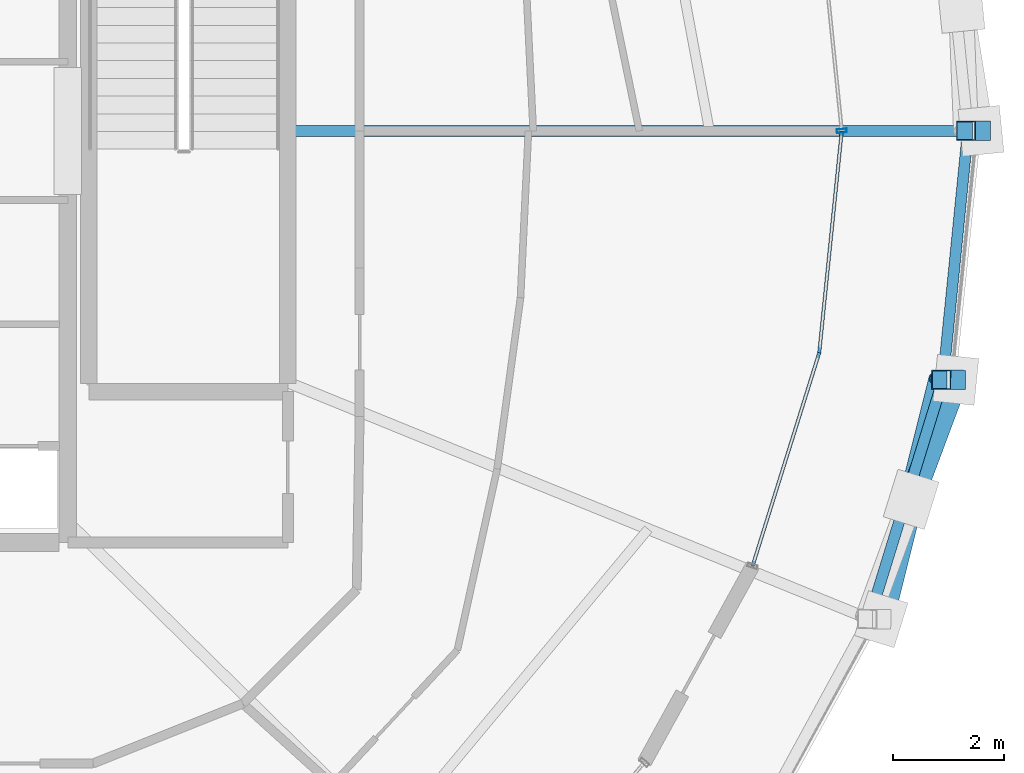
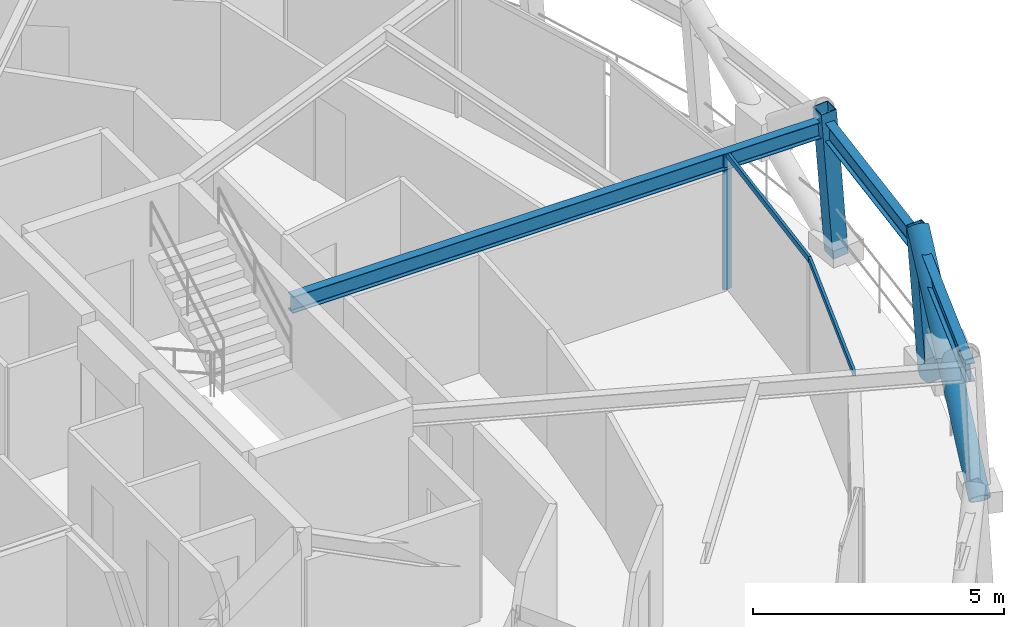
# One storey, part 6 of 16: 7 members, 3 beams, 1 element without a shape of its own.
"""IFC4 building model written with IfcOpenShell, lengths in metres."""

from ifc_helpers import new_model, si_unit, direction, frame, origin, origin_2d, place, context, subcontext, project, spatial, hollow_rectangle, hollow_circle, i_section, extrude, material, layer, layer_set, material_profile, profile_set, type_object, element, aggregate, save


model = new_model("IFC4")

# Units and contexts
model_context = context("Model", 3, precision=1e-05, world=origin(), true_north=direction((0.0, 1.0)))
body_context = subcontext(model_context, "Body", "Model", "MODEL_VIEW")
ifc_project = project(units=[si_unit("LENGTHUNIT", "METRE"), si_unit("AREAUNIT", "SQUARE_METRE"), si_unit("VOLUMEUNIT", "CUBIC_METRE"), si_unit("PLANEANGLEUNIT", "RADIAN"), si_unit("MASSUNIT", "GRAM", prefix="KILO")], contexts=[model_context])

# Site, building, storey
site_placement = place(None, origin())
site = spatial("IfcSite", under=ifc_project, at=site_placement, CompositionType="ELEMENT")
building_placement = place(site_placement, origin())
building = spatial("IfcBuilding", under=site, at=building_placement, Name="Veldorina Hangang Commons", CompositionType="ELEMENT")
storey_placement = place(building_placement, frame((0.0, 0.0, 240.0)))
storey = spatial("IfcBuildingStorey", under=building, at=storey_placement, Name="L62", CompositionType="ELEMENT", Elevation=240.0)

# Beams
ifc_material_1 = material(Name="Steel SM355-TMC", Category="steel")
ifc_material_profile_1 = material_profile(ifc_material_1, i_section(OverallWidth=0.199951171875, OverallDepth=0.39990234375, WebThickness=0.008056640625, FlangeThickness=0.012939453125, FilletRadius=0.012939453125, at=origin_2d()), Name="H-400x200x8x13")
ifc_profile_set_1 = profile_set([ifc_material_profile_1], Name="Steel SM355-TMC")
beam_type_1 = type_object("IfcBeamType", Name="BM-FG400", PredefinedType="BEAM", material=ifc_profile_set_1)
beam_1_placement = place(storey_placement, frame((43.179931640625, 24.0, 3.159912109375), z_axis=(1.0, 0.0, 0.0), x_axis=(0.0, 1.0, 0.0)))
element("IfcBeam", 1, at=beam_1_placement, inside=storey, type_object=beam_type_1, Name="L62 radial floor girder 01", PredefinedType="BEAM", context=body_context, shape_type="SweptSolid", body=[
    extrude(i_section(OverallWidth=0.199951171875, OverallDepth=0.39990234375, WebThickness=0.008056640625, FlangeThickness=0.012939453125, FilletRadius=0.012939453125, at=origin_2d()), origin(), (0.0, 0.0, 1.0), 12.308349609375),
])
ifc_material_profile_2 = material_profile(ifc_material_1, i_section(OverallWidth=0.199951171875, OverallDepth=0.449951171875, WebThickness=0.009033203125, FlangeThickness=0.013916015625, FilletRadius=0.01611328125, at=origin_2d()), Name="H-450x200x9x14")
ifc_profile_set_2 = profile_set([ifc_material_profile_2], Name="Steel SM355-TMC")
beam_type_2 = type_object("IfcBeamType", Name="BM-RB450", PredefinedType="BEAM", material=ifc_profile_set_2)
beam_2_placement = place(storey_placement, frame((53.700439453125, 15.16650390625, 3.135009765625), z_axis=(0.294960232046, 0.955509529786, 0.0), x_axis=(-0.955509529786, 0.294960232046, 0.0)))
element("IfcBeam", 2, at=beam_2_placement, inside=storey, type_object=beam_type_2, Name="L62 perimeter hoop ring beam 30", PredefinedType="BEAM", context=body_context, shape_type="SweptSolid", body=[
    extrude(i_section(OverallWidth=0.199951171875, OverallDepth=0.449951171875, WebThickness=0.009033203125, FlangeThickness=0.013916015625, FilletRadius=0.01611328125, at=origin_2d()), origin(), (0.0, 0.0, 1.0), 4.53173828125),
])
beam_3_placement = place(storey_placement, frame((55.037109375, 19.49658203125, 3.135009765625), z_axis=(0.099685305186, 0.995019014859, 0.0), x_axis=(-0.995019014859, 0.099685305186, 0.0)))
element("IfcBeam", 3, at=beam_3_placement, inside=storey, type_object=beam_type_2, Name="L62 perimeter hoop ring beam 31", PredefinedType="BEAM", context=body_context, shape_type="SweptSolid", body=[
    extrude(i_section(OverallWidth=0.199951171875, OverallDepth=0.449951171875, WebThickness=0.009033203125, FlangeThickness=0.013916015625, FilletRadius=0.01611328125, at=origin_2d()), origin(), (0.0, 0.0, 1.0), 4.52587890625),
])

# Curtain wall, members
ifc_material_2 = material(Name="Glass Low-E Selective", Category="glass")
ifc_layer = layer(ifc_material_2, 0.179931640625)
ifc_layer_set = layer_set([ifc_layer], Name="Glass Low-E Selective")
curtain_wall_type = type_object("IfcCurtainWallType", Name="CW-SYS-Z3", PredefinedType="NOTDEFINED", material=ifc_layer_set)
curtain_wall_placement = place(storey_placement, origin())
curtain_wall = element("IfcCurtainWall", 4, at=curtain_wall_placement, inside=storey, type_object=curtain_wall_type, Name="L62 unitised curtain wall CW-L62-R2", PredefinedType="NOTDEFINED")
ifc_material_3 = material(Name="Aluminium Anodized AA6063-T6", Category="aluminium")
ifc_material_profile_3 = material_profile(ifc_material_3, hollow_rectangle(XDim=0.070068359375, YDim=0.179931640625, WallThickness=0.00390625, at=origin_2d()), Name="ALU-RHS-180x70x4")
ifc_profile_set_3 = profile_set([ifc_material_profile_3], Name="Aluminium Anodized AA6063-T6")
member_type_1 = type_object("IfcMemberType", Name="CW-MUL-180", PredefinedType="MULLION", material=ifc_profile_set_3)
member_1_placement = place(storey_placement, frame((53.205322265625, 24.0, 0.0), z_axis=(0.0, 0.0, 1.0), x_axis=(-0.101004205212, 0.99488599876, 0.0)))
member_1 = element("IfcMember", 5, at=member_1_placement, type_object=member_type_1, Name="CW-L62-R2 vertical mullion 2", PredefinedType="MULLION", context=body_context, shape_type="SweptSolid", body=[
    extrude(hollow_rectangle(XDim=0.070068359375, YDim=0.179931640625, WallThickness=0.00390625, at=origin_2d()), origin(), (0.0, 0.0, 1.0), 3.320068359375),
])
ifc_material_profile_4 = material_profile(ifc_material_3, hollow_rectangle(XDim=0.06005859375, YDim=0.139892578125, WallThickness=0.00341796875, at=origin_2d()), Name="ALU-RHS-140x60x3.5")
ifc_profile_set_4 = profile_set([ifc_material_profile_4], Name="Aluminium Anodized AA6063-T6")
member_type_2 = type_object("IfcMemberType", Name="CW-TRN-140", PredefinedType="USERDEFINED", material=ifc_profile_set_4)
member_2_placement = place(storey_placement, frame((51.59130859375, 16.126708984375, 3.280029296875), z_axis=(0.298385002605, 0.954445593117, 0.0), x_axis=(-0.954445593117, 0.298385002605, 0.0)))
member_2 = element("IfcMember", 6, at=member_2_placement, type_object=member_type_2, Name="CW-L62-R2 facet 1 transom 1", ObjectType="TRANSOM", PredefinedType="USERDEFINED", context=body_context, shape_type="SweptSolid", body=[
    extrude(hollow_rectangle(XDim=0.06005859375, YDim=0.139892578125, WallThickness=0.00341796875, at=origin_2d()), origin(), (0.0, 0.0, 1.0), 4.04345703125),
])
member_3_placement = place(storey_placement, frame((52.7978515625, 19.986083984375, 3.280029296875), z_axis=(0.10099545132, 0.994886887446, 0.0), x_axis=(-0.994886887446, 0.10099545132, 0.0)))
member_3 = element("IfcMember", 7, at=member_3_placement, type_object=member_type_2, Name="CW-L62-R2 facet 2 transom 1", ObjectType="TRANSOM", PredefinedType="USERDEFINED", context=body_context, shape_type="SweptSolid", body=[
    extrude(hollow_rectangle(XDim=0.06005859375, YDim=0.139892578125, WallThickness=0.00341796875, at=origin_2d()), origin(), (0.0, 0.0, 1.0), 4.034423828125),
])
aggregate(curtain_wall, [member_1, member_2, member_3])

# Members
ifc_material_profile_5 = material_profile(ifc_material_1, hollow_circle(Radius=0.22509765625, WallThickness=0.02197265625, at=origin_2d()), Name="CHS-450x22")
ifc_profile_set_5 = profile_set([ifc_material_profile_5], Name="Steel SM355-TMC")
member_type_3 = type_object("IfcMemberType", Name="DG-CHS450", PredefinedType="BRACE", material=ifc_profile_set_5)
member_4_placement = place(storey_placement, frame((53.91943359375, 15.162353515625, 0.0), z_axis=(0.188787742565, 0.755448809836, 0.62742034074), x_axis=(-0.970164995532, 0.242445625749, 0.0)))
element("IfcMember", 8, at=member_4_placement, inside=storey, type_object=member_type_3, Name="L62 continuous perimeter diagrid brace 30", PredefinedType="BRACE", context=body_context, shape_type="SweptSolid", body=[
    extrude(hollow_circle(Radius=0.22509765625, WallThickness=0.02197265625, at=origin_2d()), origin(), (0.0, 0.0, 1.0), 5.738037109375),
])
member_5_placement = place(storey_placement, frame((55.26953125, 19.49462890625, 0.0), z_axis=(-0.275921196608, -0.738651880104, 0.615029180838), x_axis=(0.936775912567, -0.349929835301, 0.0)))
element("IfcMember", 9, at=member_5_placement, inside=storey, type_object=member_type_3, Name="L62 split perimeter diagrid lower brace 31", PredefinedType="BRACE", context=body_context, shape_type="SweptSolid", body=[
    extrude(hollow_circle(Radius=0.22509765625, WallThickness=0.02197265625, at=origin_2d()), origin(), (0.0, 0.0, 1.0), 2.9287109375),
])
ifc_material_profile_6 = material_profile(ifc_material_1, hollow_rectangle(XDim=0.35009765625, YDim=0.35009765625, WallThickness=0.01611328125, at=origin_2d()), Name="SHS-350x350x16")
ifc_profile_set_6 = profile_set([ifc_material_profile_6], Name="Steel SM355-TMC")
member_type_4 = type_object("IfcMemberType", Name="STR-SHS350", PredefinedType="STRUT", material=ifc_profile_set_6)
member_6_placement = place(storey_placement, frame((55.725341796875, 24.0, 0.0), z_axis=(-0.075398489964, 0.0, 0.997153482525), x_axis=(0.0, -1.0, 0.0)))
element("IfcMember", 10, at=member_6_placement, inside=storey, type_object=member_type_4, Name="L62 perimeter ring node post 00", PredefinedType="STRUT", context=body_context, shape_type="SweptSolid", body=[
    extrude(hollow_rectangle(XDim=0.35009765625, YDim=0.35009765625, WallThickness=0.01611328125, at=origin_2d()), origin(), (0.0, 0.0, 1.0), 3.6103515625),
])
member_7_placement = place(storey_placement, frame((55.26953125, 19.49462890625, 0.0), z_axis=(-0.073918999934, 0.000676294601, 0.997264019242), x_axis=(-0.009148747935, -0.99995814933, 0.0)))
element("IfcMember", 11, at=member_7_placement, inside=storey, type_object=member_type_4, Name="L62 perimeter ring node post 31", PredefinedType="STRUT", context=body_context, shape_type="SweptSolid", body=[
    extrude(hollow_rectangle(XDim=0.35009765625, YDim=0.35009765625, WallThickness=0.01611328125, at=origin_2d()), origin(), (0.0, 0.0, 1.0), 3.60986328125),
])

save(model, "model.ifc")
